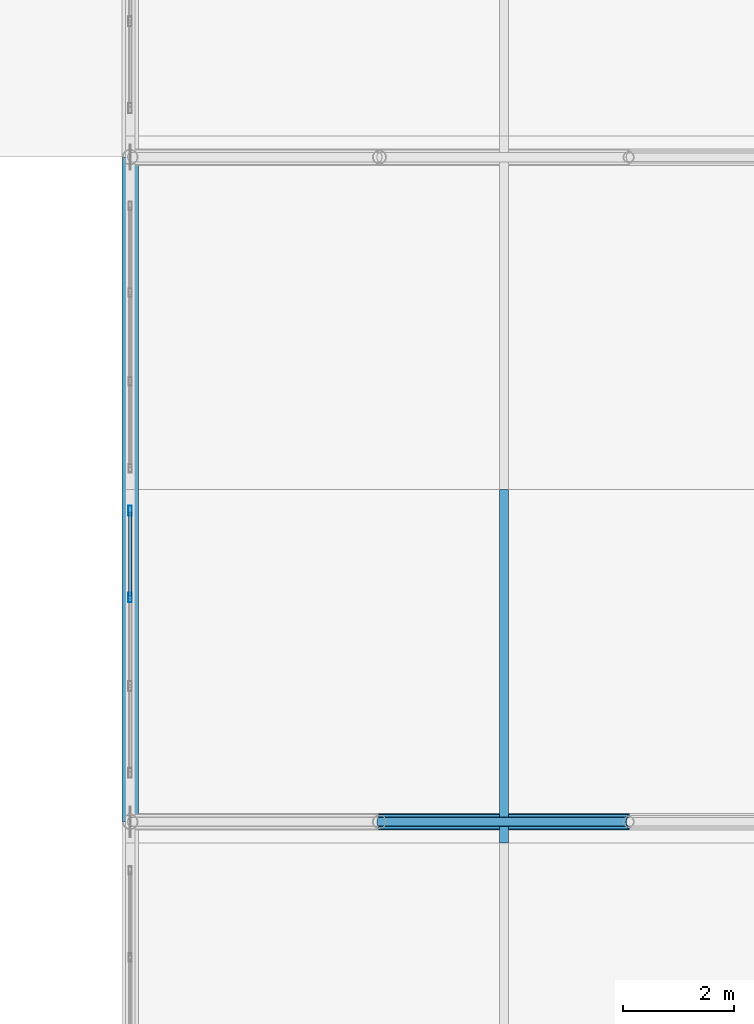
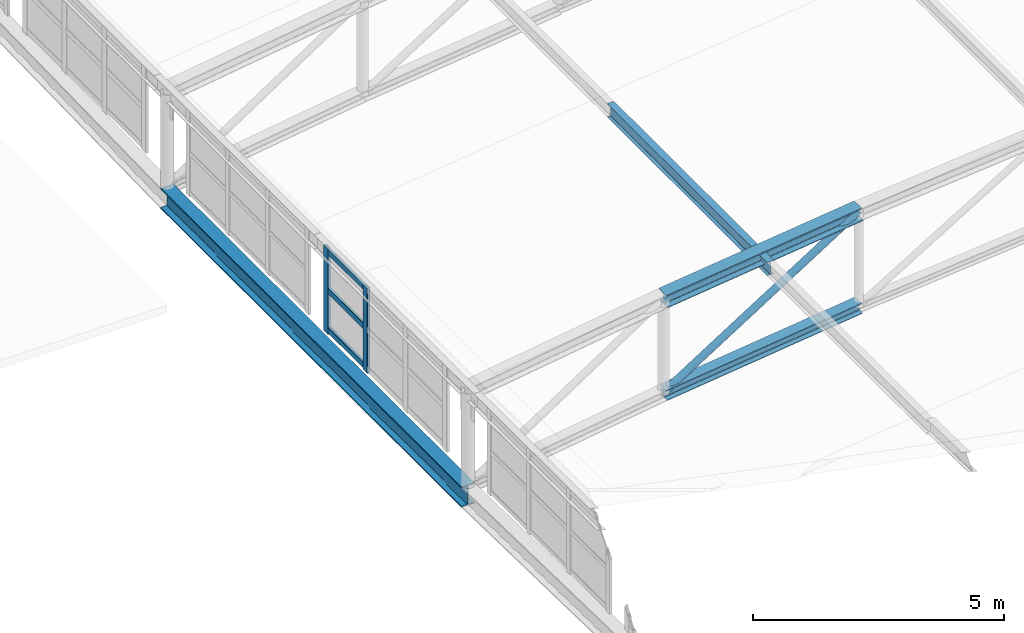
# One storey, part 86 of 262: 9 members, 1 beam, 1 element without a shape of its own.
"""IFC4 building model written with IfcOpenShell, lengths in metres."""

from ifc_helpers import new_model, si_unit, derived_unit, direction, frame, origin, origin_2d, place, context, subcontext, project, spatial, hollow_rectangle, hollow_circle, i_section, extrude, material, layer, layer_set, material_profile, profile_set, type_object, element, aggregate, save


model = new_model("IFC4")

# Units and contexts
model_context = context("Model", 3, precision=1e-05, world=origin(), true_north=direction((0.0, 1.0)))
body_context = subcontext(model_context, "Body", "Model", "MODEL_VIEW")
ifc_project = project(units=[si_unit("LENGTHUNIT", "METRE"), si_unit("AREAUNIT", "SQUARE_METRE"), si_unit("VOLUMEUNIT", "CUBIC_METRE"), si_unit("PLANEANGLEUNIT", "RADIAN"), si_unit("MASSUNIT", "GRAM", prefix="KILO"), derived_unit("THERMALTRANSMITTANCEUNIT", [(si_unit("POWERUNIT", "WATT"), 1), (si_unit("LENGTHUNIT", "METRE"), -2), (si_unit("THERMODYNAMICTEMPERATUREUNIT", "KELVIN"), -1)])], contexts=[model_context])

# Site, building, storey
site_placement = place(None, origin())
site = spatial("IfcSite", under=ifc_project, at=site_placement, CompositionType="ELEMENT")
building_placement = place(site_placement, origin())
building = spatial("IfcBuilding", under=site, at=building_placement, Name="Almenara Railside Exhibition Hall", CompositionType="ELEMENT")
storey_placement = place(building_placement, frame((0.0, 0.0, 21.699951171875)))
storey = spatial("IfcBuildingStorey", under=building, at=storey_placement, Name="RF", CompositionType="ELEMENT", Elevation=21.699951171875)

# Members
ifc_material_1 = material(Name="Structural steel S355JR", Category="steel")
ifc_material_profile_1 = material_profile(ifc_material_1, i_section(OverallWidth=0.260009765625, OverallDepth=0.260009765625, WebThickness=0.010009765625, FlangeThickness=0.017578125, FilletRadius=0.02392578125, at=origin_2d()), Name="HEB 260")
ifc_profile_set_1 = profile_set([ifc_material_profile_1], Name="Structural steel S355JR")
member_type_1 = type_object("IfcMemberType", Name="Arched Truss Bottom Chord HEB 260 S355JR", PredefinedType="CHORD", material=ifc_profile_set_1)
member_1_placement = place(storey_placement, frame((16.5, 84.0, -1.727783203125), z_axis=(0.992612220818, 0.0, 0.121330041965), x_axis=(0.0, 1.0, 0.0)))
element("IfcMember", 1, at=member_1_placement, inside=storey, type_object=member_type_1, Name="MEM-BC-V1-03-01", PredefinedType="CHORD", context=body_context, shape_type="SweptSolid", body=[
    extrude(i_section(OverallWidth=0.260009765625, OverallDepth=0.260009765625, WebThickness=0.010009765625, FlangeThickness=0.017578125, FilletRadius=0.02392578125, at=origin_2d()), origin(), (0.0, 0.0, 1.0), 4.533447265625),
])
ifc_material_profile_2 = material_profile(ifc_material_1, i_section(OverallWidth=0.300048828125, OverallDepth=0.320068359375, WebThickness=0.011474609375, FlangeThickness=0.0205078125, FilletRadius=0.027099609375, at=origin_2d()), Name="HEB 320")
ifc_profile_set_2 = profile_set([ifc_material_profile_2], Name="Structural steel S355JR")
member_type_2 = type_object("IfcMemberType", Name="Arched Truss Top Chord HEB 320 S355JR", PredefinedType="CHORD", material=ifc_profile_set_2)
member_2_placement = place(storey_placement, frame((16.5, 84.0, 0.572265625), z_axis=(0.992612220818, 0.0, 0.121330041965), x_axis=(0.0, 1.0, 0.0)))
element("IfcMember", 2, at=member_2_placement, inside=storey, type_object=member_type_2, Name="MEM-TC-V1-03-01", PredefinedType="CHORD", context=body_context, shape_type="SweptSolid", body=[
    extrude(i_section(OverallWidth=0.300048828125, OverallDepth=0.320068359375, WebThickness=0.011474609375, FlangeThickness=0.0205078125, FilletRadius=0.027099609375, at=origin_2d()), origin(), (0.0, 0.0, 1.0), 4.533447265625),
])

# Curtain wall, members
ifc_material_2 = material(Name="Bronze-anodised aluminium and low-E double glazing", Category="aluminium")
ifc_layer = layer(ifc_material_2, 0.179931640625, Name="Bronze-anodised aluminium and low-E double glazing")
ifc_layer_set = layer_set([ifc_layer], Name="Bronze-anodised aluminium and low-E double glazing")
curtain_wall_type = type_object("IfcCurtainWallType", Name="West Hall Clerestory Curtain Wall 4200x2400", PredefinedType="NOTDEFINED", material=ifc_layer_set)
curtain_wall_placement = place(storey_placement, origin())
curtain_wall = element("IfcCurtainWall", 3, at=curtain_wall_placement, inside=storey, type_object=curtain_wall_type, Name="Curtain wall CW-CL1-180", PredefinedType="NOTDEFINED")
ifc_material_3 = material(Name="Bronze-anodised aluminium", Category="aluminium")
ifc_material_profile_3 = material_profile(ifc_material_3, hollow_rectangle(XDim=0.06494140625, YDim=0.179931640625, WallThickness=0.00390625, InnerFilletRadius=0.00390625, OuterFilletRadius=0.008056640625, at=origin_2d()), Name="ALU-MUL 65x180x4")
ifc_profile_set_3 = profile_set([ifc_material_profile_3], Name="Bronze-anodised aluminium")
member_type_3 = type_object("IfcMemberType", Name="Curtain Wall Mullion 65x180x4", PredefinedType="MULLION", material=ifc_profile_set_3)
member_3_placement = place(storey_placement, frame((12.0, 88.050048828125, -2.0849609375), z_axis=(0.0, 0.0, 1.0), x_axis=(-1.0, 0.0, 0.0)))
member_3 = element("IfcMember", 4, at=member_3_placement, type_object=member_type_3, Name="CW-CL1-180 mullion 3", PredefinedType="MULLION", context=body_context, shape_type="SweptSolid", body=[
    extrude(hollow_rectangle(XDim=0.06494140625, YDim=0.179931640625, WallThickness=0.00390625, InnerFilletRadius=0.00390625, OuterFilletRadius=0.008056640625, at=origin_2d()), origin(), (0.0, 0.0, 1.0), 2.0849609375),
])
member_4_placement = place(storey_placement, frame((12.0, 89.617431640625, -2.0849609375), z_axis=(0.0, 0.0, 1.0), x_axis=(-1.0, 0.0, 0.0)))
member_4 = element("IfcMember", 5, at=member_4_placement, type_object=member_type_3, Name="CW-CL1-180 mullion 4", PredefinedType="MULLION", context=body_context, shape_type="SweptSolid", body=[
    extrude(hollow_rectangle(XDim=0.06494140625, YDim=0.179931640625, WallThickness=0.00390625, InnerFilletRadius=0.00390625, OuterFilletRadius=0.008056640625, at=origin_2d()), origin(), (0.0, 0.0, 1.0), 2.0849609375),
])
ifc_material_profile_4 = material_profile(ifc_material_3, hollow_rectangle(XDim=0.06494140625, YDim=0.139892578125, WallThickness=0.00341796875, InnerFilletRadius=0.00341796875, OuterFilletRadius=0.007080078125, at=origin_2d()), Name="ALU-TRN 65x140x3.5")
ifc_profile_set_4 = profile_set([ifc_material_profile_4], Name="Bronze-anodised aluminium")
member_type_4 = type_object("IfcMemberType", Name="Curtain Wall Transom 65x140x3.5", PredefinedType="USERDEFINED", material=ifc_profile_set_4)
member_5_placement = place(storey_placement, frame((12.0, 88.074462890625, -1.97998046875), z_axis=(0.0, 1.0, 0.0), x_axis=(-1.0, 0.0, 0.0)))
member_5 = element("IfcMember", 6, at=member_5_placement, type_object=member_type_4, Name="CW-CL1-180 transom 3.1", ObjectType="TRANSOM", PredefinedType="USERDEFINED", context=body_context, shape_type="SweptSolid", body=[
    extrude(hollow_rectangle(XDim=0.06494140625, YDim=0.139892578125, WallThickness=0.00341796875, InnerFilletRadius=0.00341796875, OuterFilletRadius=0.007080078125, at=origin_2d()), origin(), (0.0, 0.0, 1.0), 1.5185546875),
])
member_6_placement = place(storey_placement, frame((12.0, 88.074462890625, -1.02490234375), z_axis=(0.0, 1.0, 0.0), x_axis=(-1.0, 0.0, 0.0)))
member_6 = element("IfcMember", 7, at=member_6_placement, type_object=member_type_4, Name="CW-CL1-180 transom 3.2", ObjectType="TRANSOM", PredefinedType="USERDEFINED", context=body_context, shape_type="SweptSolid", body=[
    extrude(hollow_rectangle(XDim=0.06494140625, YDim=0.139892578125, WallThickness=0.00341796875, InnerFilletRadius=0.00341796875, OuterFilletRadius=0.007080078125, at=origin_2d()), origin(), (0.0, 0.0, 1.0), 1.5185546875),
])
member_7_placement = place(storey_placement, frame((12.0, 88.074462890625, -0.070068359375), z_axis=(0.0, 1.0, 0.0), x_axis=(-1.0, 0.0, 0.0)))
member_7 = element("IfcMember", 8, at=member_7_placement, type_object=member_type_4, Name="CW-CL1-180 transom 3.3", ObjectType="TRANSOM", PredefinedType="USERDEFINED", context=body_context, shape_type="SweptSolid", body=[
    extrude(hollow_rectangle(XDim=0.06494140625, YDim=0.139892578125, WallThickness=0.00341796875, InnerFilletRadius=0.00341796875, OuterFilletRadius=0.007080078125, at=origin_2d()), origin(), (0.0, 0.0, 1.0), 1.5185546875),
])
aggregate(curtain_wall, [member_3, member_4, member_5, member_6, member_7])

# Member
ifc_material_profile_5 = material_profile(ifc_material_1, i_section(OverallWidth=0.159912109375, OverallDepth=0.330078125, WebThickness=0.007568359375, FlangeThickness=0.011474609375, FilletRadius=0.01806640625, at=origin_2d()), Name="IPE 330")
ifc_profile_set_5 = profile_set([ifc_material_profile_5], Name="Structural steel S355JR")
member_type_5 = type_object("IfcMemberType", Name="Gable Bay Purlin IPE 330 S355JR", PredefinedType="PURLIN", material=ifc_profile_set_5)
member_8_placement = place(storey_placement, frame((18.75, 83.6201171875, 0.743408203125), z_axis=(0.0, 1.0, 0.0), x_axis=(-1.0, 0.0, 0.0)))
element("IfcMember", 9, at=member_8_placement, inside=storey, type_object=member_type_5, Name="MEM-PR-V1-PR-IPE330-01-13", PredefinedType="PURLIN", context=body_context, shape_type="SweptSolid", body=[
    extrude(i_section(OverallWidth=0.159912109375, OverallDepth=0.330078125, WebThickness=0.007568359375, FlangeThickness=0.011474609375, FilletRadius=0.01806640625, at=origin_2d()), origin(), (0.0, 0.0, 1.0), 6.3798828125),
])

# Beam
ifc_material_profile_6 = material_profile(ifc_material_1, i_section(OverallWidth=0.300048828125, OverallDepth=0.5, WebThickness=0.014404296875, FlangeThickness=0.028076171875, FilletRadius=0.027099609375, at=origin_2d()), Name="HEB 500")
ifc_profile_set_6 = profile_set([ifc_material_profile_6], Name="Structural steel S355JR")
beam_type = type_object("IfcBeamType", Name="Steel Heavy Eaves Girder HEB 500 S355JR", PredefinedType="USERDEFINED", material=ifc_profile_set_6)
beam_placement = place(storey_placement, frame((12.0, 84.0, -2.64990234375), z_axis=(0.0, 1.0, 0.0), x_axis=(-1.0, 0.0, 0.0)))
element("IfcBeam", 10, at=beam_placement, inside=storey, type_object=beam_type, Name="Beam 0967", ObjectType="GIRDER", PredefinedType="USERDEFINED", context=body_context, shape_type="SweptSolid", body=[
    extrude(i_section(OverallWidth=0.300048828125, OverallDepth=0.5, WebThickness=0.014404296875, FlangeThickness=0.028076171875, FilletRadius=0.027099609375, at=origin_2d()), origin(), (0.0, 0.0, 1.0), 12.0),
])

# Member
ifc_material_profile_7 = material_profile(ifc_material_1, hollow_circle(Radius=0.084228515625, WallThickness=0.006103515625, at=origin_2d()), Name="CHS 168.3x6")
ifc_profile_set_7 = profile_set([ifc_material_profile_7], Name="Structural steel S355JR")
member_type_6 = type_object("IfcMemberType", Name="Truss End Diagonal CHS 168.3x6 S355JR", PredefinedType="BRACE", material=ifc_profile_set_7)
member_9_placement = place(storey_placement, frame((16.5, 84.0, -1.727783203125), z_axis=(0.844810788273, 0.0, 0.535065166141), x_axis=(0.0, 1.0, 0.0)))
element("IfcMember", 11, at=member_9_placement, inside=storey, type_object=member_type_6, Name="MEM-TD-V1-03-01", PredefinedType="BRACE", context=body_context, shape_type="SweptSolid", body=[
    extrude(hollow_circle(Radius=0.084228515625, WallThickness=0.006103515625, at=origin_2d()), origin(), (0.0, 0.0, 1.0), 5.32666015625),
])

save(model, "model.ifc")
